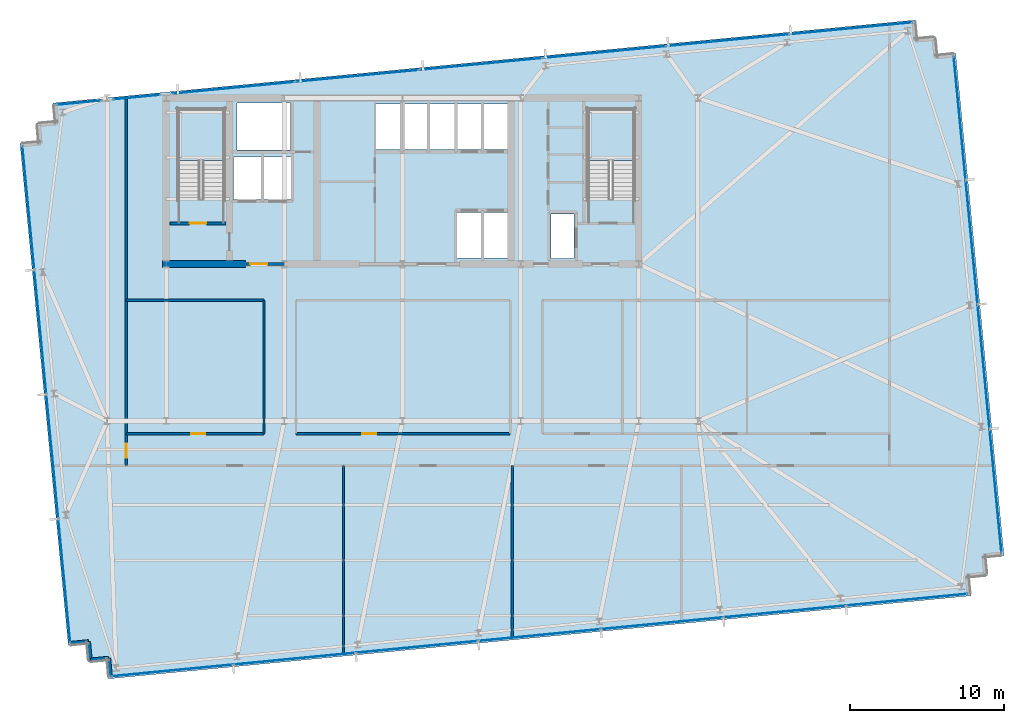
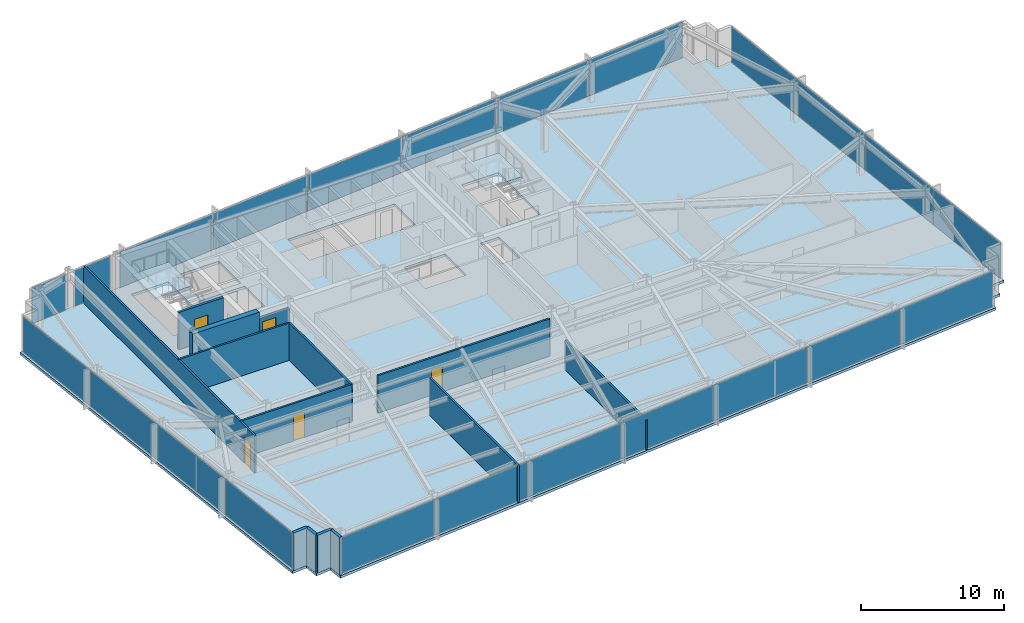
# One storey, part 24 of 32: 23 plates, 14 walls, 5 doors, 3 slabs, 5 openings, 8 elements without a shape of their own.
"""IFC4 building model written with IfcOpenShell, lengths in metres."""

from ifc_helpers import new_model, si_unit, direction, frame, frame_2d, origin, origin_2d, place, context, subcontext, project, spatial, polyline, rectangle, outline, extrude, material, layer, layer_set, type_object, element, fill, aggregate, save


model = new_model("IFC4")

# Units and contexts
model_context = context("Model", 3, precision=1e-05, world=origin(), true_north=direction((0.0, 1.0)))
body_context = subcontext(model_context, "Body", "Model", "MODEL_VIEW")
ifc_project = project(units=[si_unit("LENGTHUNIT", "METRE"), si_unit("AREAUNIT", "SQUARE_METRE"), si_unit("VOLUMEUNIT", "CUBIC_METRE"), si_unit("PLANEANGLEUNIT", "RADIAN"), si_unit("MASSUNIT", "GRAM", prefix="KILO")], contexts=[model_context])

# Site, building, storey
site_placement = place(None, origin())
site = spatial("IfcSite", under=ifc_project, at=site_placement, CompositionType="ELEMENT")
building_placement = place(site_placement, origin())
building = spatial("IfcBuilding", under=site, at=building_placement, Name="Yelkora Congress Tower", CompositionType="ELEMENT")
storey_placement = place(building_placement, frame((0.0, 0.0, 103.300048828125)))
storey = spatial("IfcBuildingStorey", under=building, at=storey_placement, Name="L27", CompositionType="ELEMENT", Elevation=103.300048828125)

# Curtain wall, plates
ifc_material_1 = material(Name="Anodised aluminium and insulated glass", Category="aluminium")
curtain_wall_type = type_object("IfcCurtainWallType", Name="CW-SYS-B2", PredefinedType="NOTDEFINED", material=ifc_material_1)
curtain_wall_1_placement = place(storey_placement, origin())
curtain_wall_1 = element("IfcCurtainWall", 1, at=curtain_wall_1_placement, inside=storey, type_object=curtain_wall_type, Name="L27 Unitised Curtain Wall 5", PredefinedType="NOTDEFINED")
ifc_material_2 = material(Name="Solar-control low-E glass unit B2", Category="glass")
ifc_layer_1 = layer(ifc_material_2, 0.0380859375)
ifc_layer_set_1 = layer_set([ifc_layer_1], Name="Solar-control low-E glass unit B2")
plate_type = type_object("IfcPlateType", Name="PLT-PN-B2", PredefinedType="CURTAIN_PANEL", material=ifc_layer_set_1)
plate_1_placement = place(storey_placement, frame((16.41650390625, 14.820068359375, 0.06494140625), z_axis=(0.0, 0.0, 1.0), x_axis=(-0.095842541913, 0.995396507508, 0.0)))
plate_1 = element("IfcPlate", 2, at=plate_1_placement, type_object=plate_type, Name="CW-B2 panel 1.1", PredefinedType="CURTAIN_PANEL", context=body_context, shape_type="SweptSolid", body=[
    extrude(rectangle(XDim=8.02490234375, YDim=0.0380859375, at=origin_2d()), origin(), (0.0, 0.0, 1.0), 3.050048828125),
])
plate_2_placement = place(storey_placement, frame((15.638916015625, 22.895263671875, 0.06494140625), z_axis=(0.0, 0.0, 1.0), x_axis=(-0.095842541913, 0.995396507508, 0.0)))
plate_2 = element("IfcPlate", 3, at=plate_2_placement, type_object=plate_type, Name="CW-B2 panel 2.1", PredefinedType="CURTAIN_PANEL", context=body_context, shape_type="SweptSolid", body=[
    extrude(rectangle(XDim=8.06005859375, YDim=0.0380859375, at=origin_2d()), origin(), (0.0, 0.0, 1.0), 3.050048828125),
])
plate_3_placement = place(storey_placement, frame((14.859619140625, 30.98779296875, 0.06494140625), z_axis=(0.0, 0.0, 1.0), x_axis=(-0.095842541913, 0.995396507508, 0.0)))
plate_3 = element("IfcPlate", 4, at=plate_3_placement, type_object=plate_type, Name="CW-B2 panel 3.1", PredefinedType="CURTAIN_PANEL", context=body_context, shape_type="SweptSolid", body=[
    extrude(rectangle(XDim=8.06005859375, YDim=0.0380859375, at=origin_2d()), origin(), (0.0, 0.0, 1.0), 3.050048828125),
])
plate_4_placement = place(storey_placement, frame((14.082275390625, 39.06298828125, 0.06494140625), z_axis=(0.0, 0.0, 1.0), x_axis=(-0.095842541913, 0.995396507508, 0.0)))
plate_4 = element("IfcPlate", 5, at=plate_4_placement, type_object=plate_type, Name="CW-B2 panel 4.1", PredefinedType="CURTAIN_PANEL", context=body_context, shape_type="SweptSolid", body=[
    extrude(rectangle(XDim=8.02490234375, YDim=0.0380859375, at=origin_2d()), origin(), (0.0, 0.0, 1.0), 3.050048828125),
])
aggregate(curtain_wall_1, [plate_1, plate_2, plate_3, plate_4])

# Curtain wall, plate
curtain_wall_2_placement = place(storey_placement, origin())
curtain_wall_2 = element("IfcCurtainWall", 6, at=curtain_wall_2_placement, inside=storey, type_object=curtain_wall_type, Name="L27 Unitised Curtain Wall 10 (1)", PredefinedType="NOTDEFINED")
plate_5_placement = place(storey_placement, frame((17.35888671875, 45.89111328125, 0.06494140625), z_axis=(0.0, 0.0, 1.0), x_axis=(0.99539681521, 0.095839346142, 0.0)))
plate_5 = element("IfcPlate", 7, at=plate_5_placement, type_object=plate_type, Name="CW-B2 panel 1.1", PredefinedType="CURTAIN_PANEL", context=body_context, shape_type="SweptSolid", body=[
    extrude(rectangle(XDim=2.89208984375, YDim=0.0380859375, at=origin_2d()), origin(), (0.0, 0.0, 1.0), 3.050048828125),
])
aggregate(curtain_wall_2, [plate_5])

curtain_wall_3_placement = place(storey_placement, origin())
curtain_wall_3 = element("IfcCurtainWall", 8, at=curtain_wall_3_placement, inside=storey, type_object=curtain_wall_type, Name="L27 Unitised Curtain Wall 10 (2)", PredefinedType="NOTDEFINED")
plate_6_placement = place(storey_placement, frame((21.1201171875, 46.253173828125, 0.06494140625), z_axis=(0.0, 0.0, 1.0), x_axis=(0.99539661748, 0.095841399764, 0.0)))
plate_6 = element("IfcPlate", 9, at=plate_6_placement, type_object=plate_type, Name="CW-B2 panel 1.1", PredefinedType="CURTAIN_PANEL", context=body_context, shape_type="SweptSolid", body=[
    extrude(rectangle(XDim=3.05078125, YDim=0.0380859375, at=origin_2d()), origin(), (0.0, 0.0, 1.0), 3.050048828125),
])
aggregate(curtain_wall_3, [plate_6])

# Curtain wall, plates
curtain_wall_4_placement = place(storey_placement, origin())
curtain_wall_4 = element("IfcCurtainWall", 10, at=curtain_wall_4_placement, inside=storey, type_object=curtain_wall_type, Name="L27 Unitised Curtain Wall 10 (3)", PredefinedType="NOTDEFINED")
plate_7_placement = place(storey_placement, frame((27.409423828125, 46.858642578125, 0.06494140625), z_axis=(0.0, 0.0, 1.0), x_axis=(0.995396344153, 0.095844238468, 0.0)))
plate_7 = element("IfcPlate", 11, at=plate_7_placement, type_object=plate_type, Name="CW-B2 panel 1.1", PredefinedType="CURTAIN_PANEL", context=body_context, shape_type="SweptSolid", body=[
    extrude(rectangle(XDim=7.97216796875, YDim=0.0380859375, at=origin_2d()), origin(), (0.0, 0.0, 1.0), 3.050048828125),
])
plate_8_placement = place(storey_placement, frame((35.431884765625, 47.631103515625, 0.06494140625), z_axis=(0.0, 0.0, 1.0), x_axis=(0.995396344153, 0.095844238468, 0.0)))
plate_8 = element("IfcPlate", 12, at=plate_8_placement, type_object=plate_type, Name="CW-B2 panel 2.1", PredefinedType="CURTAIN_PANEL", context=body_context, shape_type="SweptSolid", body=[
    extrude(rectangle(XDim=8.007080078125, YDim=0.0380859375, at=origin_2d()), origin(), (0.0, 0.0, 1.0), 3.050048828125),
])
plate_9_placement = place(storey_placement, frame((43.471923828125, 48.4052734375, 0.06494140625), z_axis=(0.0, 0.0, 1.0), x_axis=(0.995396344153, 0.095844238468, 0.0)))
plate_9 = element("IfcPlate", 13, at=plate_9_placement, type_object=plate_type, Name="CW-B2 panel 3.1", PredefinedType="CURTAIN_PANEL", context=body_context, shape_type="SweptSolid", body=[
    extrude(rectangle(XDim=8.007080078125, YDim=0.0380859375, at=origin_2d()), origin(), (0.0, 0.0, 1.0), 3.050048828125),
])
plate_10_placement = place(storey_placement, frame((51.511962890625, 49.179443359375, 0.06494140625), z_axis=(0.0, 0.0, 1.0), x_axis=(0.995396344153, 0.095844238468, 0.0)))
plate_10 = element("IfcPlate", 14, at=plate_10_placement, type_object=plate_type, Name="CW-B2 panel 4.1", PredefinedType="CURTAIN_PANEL", context=body_context, shape_type="SweptSolid", body=[
    extrude(rectangle(XDim=8.007080078125, YDim=0.0380859375, at=origin_2d()), origin(), (0.0, 0.0, 1.0), 3.050048828125),
])
plate_11_placement = place(storey_placement, frame((59.552001953125, 49.95361328125, 0.06494140625), z_axis=(0.0, 0.0, 1.0), x_axis=(0.995396344153, 0.095844238468, 0.0)))
plate_11 = element("IfcPlate", 15, at=plate_11_placement, type_object=plate_type, Name="CW-B2 panel 5.1", PredefinedType="CURTAIN_PANEL", context=body_context, shape_type="SweptSolid", body=[
    extrude(rectangle(XDim=8.007080078125, YDim=0.0380859375, at=origin_2d()), origin(), (0.0, 0.0, 1.0), 3.050048828125),
])
plate_12_placement = place(storey_placement, frame((67.574462890625, 50.72607421875, 0.06494140625), z_axis=(0.0, 0.0, 1.0), x_axis=(0.995396344153, 0.095844238468, 0.0)))
plate_12 = element("IfcPlate", 16, at=plate_12_placement, type_object=plate_type, Name="CW-B2 panel 6.1", PredefinedType="CURTAIN_PANEL", context=body_context, shape_type="SweptSolid", body=[
    extrude(rectangle(XDim=7.97216796875, YDim=0.0380859375, at=origin_2d()), origin(), (0.0, 0.0, 1.0), 3.050048828125),
])
aggregate(curtain_wall_4, [plate_7, plate_8, plate_9, plate_10, plate_11, plate_12])

curtain_wall_5_placement = place(storey_placement, origin())
curtain_wall_5 = element("IfcCurtainWall", 17, at=curtain_wall_5_placement, inside=storey, type_object=curtain_wall_type, Name="L27 Unitised Curtain Wall 15", PredefinedType="NOTDEFINED")
plate_13_placement = place(storey_placement, frame((74.6220703125, 44.892333984375, 0.06494140625), z_axis=(0.0, 0.0, 1.0), x_axis=(0.095842541913, -0.995396507508, 0.0)))
plate_13 = element("IfcPlate", 18, at=plate_13_placement, type_object=plate_type, Name="CW-B2 panel 1.1", PredefinedType="CURTAIN_PANEL", context=body_context, shape_type="SweptSolid", body=[
    extrude(rectangle(XDim=8.02490234375, YDim=0.0380859375, at=origin_2d()), origin(), (0.0, 0.0, 1.0), 3.050048828125),
])
plate_14_placement = place(storey_placement, frame((75.399658203125, 36.817138671875, 0.06494140625), z_axis=(0.0, 0.0, 1.0), x_axis=(0.095842541913, -0.995396507508, 0.0)))
plate_14 = element("IfcPlate", 19, at=plate_14_placement, type_object=plate_type, Name="CW-B2 panel 2.1", PredefinedType="CURTAIN_PANEL", context=body_context, shape_type="SweptSolid", body=[
    extrude(rectangle(XDim=8.06005859375, YDim=0.0380859375, at=origin_2d()), origin(), (0.0, 0.0, 1.0), 3.050048828125),
])
plate_15_placement = place(storey_placement, frame((76.178955078125, 28.724609375, 0.06494140625), z_axis=(0.0, 0.0, 1.0), x_axis=(0.095842541913, -0.995396507508, 0.0)))
plate_15 = element("IfcPlate", 20, at=plate_15_placement, type_object=plate_type, Name="CW-B2 panel 3.1", PredefinedType="CURTAIN_PANEL", context=body_context, shape_type="SweptSolid", body=[
    extrude(rectangle(XDim=8.06005859375, YDim=0.0380859375, at=origin_2d()), origin(), (0.0, 0.0, 1.0), 3.050048828125),
])
plate_16_placement = place(storey_placement, frame((76.95654296875, 20.6494140625, 0.06494140625), z_axis=(0.0, 0.0, 1.0), x_axis=(0.095842541913, -0.995396507508, 0.0)))
plate_16 = element("IfcPlate", 21, at=plate_16_placement, type_object=plate_type, Name="CW-B2 panel 4.1", PredefinedType="CURTAIN_PANEL", context=body_context, shape_type="SweptSolid", body=[
    extrude(rectangle(XDim=8.02490234375, YDim=0.0380859375, at=origin_2d()), origin(), (0.0, 0.0, 1.0), 3.050048828125),
])
aggregate(curtain_wall_5, [plate_13, plate_14, plate_15, plate_16])

curtain_wall_6_placement = place(storey_placement, origin())
curtain_wall_6 = element("IfcCurtainWall", 22, at=curtain_wall_6_placement, inside=storey, type_object=curtain_wall_type, Name="L27 Unitised Curtain Wall 20", PredefinedType="NOTDEFINED")
plate_17_placement = place(storey_placement, frame((71.1884765625, 13.58154296875, 0.06494140625), z_axis=(0.0, 0.0, 1.0), x_axis=(-0.995396333816, -0.095844345816, 0.0)))
plate_17 = element("IfcPlate", 23, at=plate_17_placement, type_object=plate_type, Name="CW-B2 panel 1.1", PredefinedType="CURTAIN_PANEL", context=body_context, shape_type="SweptSolid", body=[
    extrude(rectangle(XDim=7.89794921875, YDim=0.0380859375, at=origin_2d()), origin(), (0.0, 0.0, 1.0), 3.050048828125),
])
plate_18_placement = place(storey_placement, frame((63.23974609375, 12.816162109375, 0.06494140625), z_axis=(0.0, 0.0, 1.0), x_axis=(-0.995396333816, -0.095844345816, 0.0)))
plate_18 = element("IfcPlate", 24, at=plate_18_placement, type_object=plate_type, Name="CW-B2 panel 2.1", PredefinedType="CURTAIN_PANEL", context=body_context, shape_type="SweptSolid", body=[
    extrude(rectangle(XDim=7.932861328125, YDim=0.0380859375, at=origin_2d()), origin(), (0.0, 0.0, 1.0), 3.050048828125),
])
plate_19_placement = place(storey_placement, frame((55.273681640625, 12.049072265625, 0.06494140625), z_axis=(0.0, 0.0, 1.0), x_axis=(-0.995396333816, -0.095844345816, 0.0)))
plate_19 = element("IfcPlate", 25, at=plate_19_placement, type_object=plate_type, Name="CW-B2 panel 3.1", PredefinedType="CURTAIN_PANEL", context=body_context, shape_type="SweptSolid", body=[
    extrude(rectangle(XDim=7.932861328125, YDim=0.0380859375, at=origin_2d()), origin(), (0.0, 0.0, 1.0), 3.050048828125),
])
plate_20_placement = place(storey_placement, frame((47.307861328125, 11.281982421875, 0.06494140625), z_axis=(0.0, 0.0, 1.0), x_axis=(-0.995396333816, -0.095844345816, 0.0)))
plate_20 = element("IfcPlate", 26, at=plate_20_placement, type_object=plate_type, Name="CW-B2 panel 4.1", PredefinedType="CURTAIN_PANEL", context=body_context, shape_type="SweptSolid", body=[
    extrude(rectangle(XDim=7.932861328125, YDim=0.0380859375, at=origin_2d()), origin(), (0.0, 0.0, 1.0), 3.050048828125),
])
plate_21_placement = place(storey_placement, frame((39.341796875, 10.51513671875, 0.06494140625), z_axis=(0.0, 0.0, 1.0), x_axis=(-0.995396333816, -0.095844345816, 0.0)))
plate_21 = element("IfcPlate", 27, at=plate_21_placement, type_object=plate_type, Name="CW-B2 panel 5.1", PredefinedType="CURTAIN_PANEL", context=body_context, shape_type="SweptSolid", body=[
    extrude(rectangle(XDim=7.932861328125, YDim=0.0380859375, at=origin_2d()), origin(), (0.0, 0.0, 1.0), 3.050048828125),
])
plate_22_placement = place(storey_placement, frame((31.375732421875, 9.748046875, 0.06494140625), z_axis=(0.0, 0.0, 1.0), x_axis=(-0.995396333816, -0.095844345816, 0.0)))
plate_22 = element("IfcPlate", 28, at=plate_22_placement, type_object=plate_type, Name="CW-B2 panel 6.1", PredefinedType="CURTAIN_PANEL", context=body_context, shape_type="SweptSolid", body=[
    extrude(rectangle(XDim=7.932861328125, YDim=0.0380859375, at=origin_2d()), origin(), (0.0, 0.0, 1.0), 3.050048828125),
])
plate_23_placement = place(storey_placement, frame((23.42724609375, 8.982666015625, 0.06494140625), z_axis=(0.0, 0.0, 1.0), x_axis=(-0.995396333816, -0.095844345816, 0.0)))
plate_23 = element("IfcPlate", 29, at=plate_23_placement, type_object=plate_type, Name="CW-B2 panel 7.1", PredefinedType="CURTAIN_PANEL", context=body_context, shape_type="SweptSolid", body=[
    extrude(rectangle(XDim=7.89794921875, YDim=0.0380859375, at=origin_2d()), origin(), (0.0, 0.0, 1.0), 3.050048828125),
])
aggregate(curtain_wall_6, [plate_17, plate_18, plate_19, plate_20, plate_21, plate_22, plate_23])

# Stair, slab
ifc_material_3 = material(Name="Concrete C40/50", Category="concrete")
stair_type = type_object("IfcStairType", Name="STAIR-HT-1420-R20-170", PredefinedType="HALF_TURN_STAIR", material=ifc_material_3)
stair_1_placement = place(storey_placement, origin())
stair_1 = element("IfcStair", 30, at=stair_1_placement, inside=storey, type_object=stair_type, Name="West Core Protected Exit Stair ST-01 (L27)", PredefinedType="HALF_TURN_STAIR")
ifc_layer_2 = layer(ifc_material_3, 0.219970703125)
ifc_layer_set_2 = layer_set([ifc_layer_2], Name="Concrete C40/50")
slab_type_1 = type_object("IfcSlabType", Name="SLAB-LANDING-220", PredefinedType="LANDING", material=ifc_layer_set_2)
slab_1_placement = place(storey_placement, frame((0.0, 0.0, 1.47998046875)))
slab_1 = element("IfcSlab", 31, at=slab_1_placement, type_object=slab_type_1, Name="ST-01 L27 Half Landing 1", PredefinedType="LANDING", context=body_context, shape_type="SweptSolid", body=[
    extrude(outline(polyline([(26.820068359375, 42.1201171875), (26.820068359375, 45.469970703125), (23.820068359375, 45.469970703125), (23.820068359375, 42.1201171875), (26.820068359375, 42.1201171875)])), origin(), (0.0, 0.0, 1.0), 0.219970703125),
])
aggregate(stair_1, [slab_1])

stair_2_placement = place(storey_placement, origin())
stair_2 = element("IfcStair", 32, at=stair_2_placement, inside=storey, type_object=stair_type, Name="East Core Protected Exit Stair ST-02 (L27)", PredefinedType="HALF_TURN_STAIR")
slab_2_placement = place(storey_placement, frame((0.0, 0.0, 1.47998046875)))
slab_2 = element("IfcSlab", 33, at=slab_2_placement, type_object=slab_type_1, Name="ST-02 L27 Half Landing 1", PredefinedType="LANDING", context=body_context, shape_type="SweptSolid", body=[
    extrude(outline(polyline([(53.4599609375, 42.1201171875), (53.4599609375, 45.469970703125), (50.4599609375, 45.469970703125), (50.4599609375, 42.1201171875), (53.4599609375, 42.1201171875)])), origin(), (0.0, 0.0, 1.0), 0.219970703125),
])
aggregate(stair_2, [slab_2])

# Slab
ifc_layer_3 = layer(ifc_material_3, 0.219970703125)
ifc_layer_set_3 = layer_set([ifc_layer_3], Name="Concrete C40/50")
slab_type_2 = type_object("IfcSlabType", Name="SLAB-TWR-220", PredefinedType="FLOOR", material=ifc_layer_set_3)
slab_3_placement = place(storey_placement, frame((0.0, 0.0, -0.219970703125)))
element("IfcSlab", 34, at=slab_3_placement, inside=storey, type_object=slab_type_2, Name="L27 Structural Floor Slab", PredefinedType="FLOOR", context=body_context, shape_type="SweptSolid", body=[
    extrude(outline(polyline([(19.30078125, 8.444580078125), (75.341552734375, 13.8408203125), (75.2265625, 15.035400390625), (76.421142578125, 15.150390625), (76.30615234375, 16.3447265625), (77.50048828125, 16.459716796875), (74.356689453125, 49.10888671875), (73.162353515625, 48.99365234375), (73.04736328125, 50.188232421875), (71.852783203125, 50.0732421875), (71.73779296875, 51.267578125), (15.697021484375, 45.87158203125), (15.81201171875, 44.677001953125), (14.61767578125, 44.56201171875), (14.732666015625, 43.36767578125), (13.5380859375, 43.252685546875), (16.681884765625, 10.603515625), (17.876220703125, 10.718505859375), (17.9912109375, 9.524169921875), (19.185791015625, 9.63916015625), (19.30078125, 8.444580078125)]), holes=[polyline([(23.820068359375, 39.6298828125), (26.820068359375, 39.6298828125), (26.820068359375, 45.469970703125), (23.820068359375, 45.469970703125), (23.820068359375, 39.6298828125)]), polyline([(50.4599609375, 39.6298828125), (53.4599609375, 39.6298828125), (53.4599609375, 45.469970703125), (50.4599609375, 45.469970703125), (50.4599609375, 39.6298828125)]), polyline([(48.050048828125, 35.75), (49.550048828125, 35.75), (49.550048828125, 38.64990234375), (48.050048828125, 38.64990234375), (48.050048828125, 35.75)]), polyline([(36.64990234375, 42.85009765625), (45.25, 42.85009765625), (45.25, 45.800048828125), (36.64990234375, 45.800048828125), (36.64990234375, 42.85009765625)]), polyline([(41.949951171875, 35.800048828125), (45.25, 35.800048828125), (45.25, 38.75), (41.949951171875, 38.75), (41.949951171875, 35.800048828125)]), polyline([(27.419921875, 39.60009765625), (31.179931640625, 39.60009765625), (31.179931640625, 42.35009765625), (27.419921875, 42.35009765625), (27.419921875, 39.60009765625)]), polyline([(27.64990234375, 42.820068359375), (31.1201171875, 42.820068359375), (31.1201171875, 45.8798828125), (27.64990234375, 45.8798828125), (27.64990234375, 42.820068359375)])]), origin(), (0.0, 0.0, 1.0), 0.219970703125),
])

# Walls
ifc_material_4 = material(Name="Concrete C60/75", Category="concrete")
ifc_layer_4 = layer(ifc_material_4, 0.449951171875)
ifc_layer_set_4 = layer_set([ifc_layer_4], Name="Concrete C60/75")
wall_type_1 = type_object("IfcWallType", Name="WALL-CORE-INT-450", PredefinedType="SHEAR", material=ifc_layer_set_4)
wall_1_placement = place(storey_placement, frame((22.81494140625, 35.39990234375, 0.0), z_axis=(0.0, 0.0, 1.0), x_axis=(1.0, 0.0, 0.0)))
element("IfcWall", 35, at=wall_1_placement, inside=storey, type_object=wall_type_1, Name="L27 Rear Core South-West Shear Wall", PredefinedType="SHEAR", context=body_context, shape_type="SweptSolid", body=[
    extrude(rectangle(XDim=5.385009765625, YDim=0.449951171875, at=frame_2d((2.6923828125, 0.0))), origin(), (0.0, 0.0, 1.0), 3.179931640625),
])
ifc_layer_5 = layer(ifc_material_3, 0.239990234375)
ifc_layer_set_5 = layer_set([ifc_layer_5], Name="Concrete C40/50")
wall_type_2 = type_object("IfcWallType", Name="WALL-EXT-LIMESTONE-240", PredefinedType="SOLIDWALL", material=ifc_layer_set_5)
for number, where, z_axis, x_axis, name in (
    (36, (19.4267578125, 8.597412109375, 0.0), (0.0, 0.0, 1.0), (-0.095817067274, 0.995398960025, 0.0), "L27 Serrated Corner Limestone Pier 1"),
    (37, (19.311767578125, 9.7919921875, 0.0), (0.0, 0.0, 1.0), (-0.995398960025, -0.095817067274, 0.0), "L27 Serrated Corner Limestone Pier 2"),
):
    element("IfcWall", number, at=place(storey_placement, frame(where, z_axis=z_axis, x_axis=x_axis)), inside=storey, type_object=wall_type_2, Name=name, PredefinedType="SOLIDWALL", context=body_context, shape_type="SweptSolid", body=[
        extrude(rectangle(XDim=1.2001953125, YDim=0.239990234375, at=frame_2d((0.60009765625, 0.0))), origin(), (0.0, 0.0, 1.0), 3.179931640625),
    ])
wall_2_placement = place(storey_placement, frame((18.1171875, 9.677001953125, 0.0), z_axis=(0.0, 0.0, 1.0), x_axis=(-0.095836473879, 0.995397091755, 0.0)))
element("IfcWall", 38, at=wall_2_placement, inside=storey, type_object=wall_type_2, Name="L27 Serrated Corner Limestone Pier 3", PredefinedType="SOLIDWALL", context=body_context, shape_type="SweptSolid", body=[
    extrude(rectangle(XDim=1.199951171875, YDim=0.239990234375, at=frame_2d((0.60009765625, 0.0))), origin(), (0.0, 0.0, 1.0), 3.179931640625),
])
wall_3_placement = place(storey_placement, frame((18.002197265625, 10.871337890625, 0.0), z_axis=(0.0, 0.0, 1.0), x_axis=(-0.995398960025, -0.095817067274, 0.0)))
element("IfcWall", 39, at=wall_3_placement, inside=storey, type_object=wall_type_2, Name="L27 Serrated Corner Limestone Pier 4", PredefinedType="SOLIDWALL", context=body_context, shape_type="SweptSolid", body=[
    extrude(rectangle(XDim=1.2001953125, YDim=0.239990234375, at=frame_2d((0.60009765625, 0.0))), origin(), (0.0, 0.0, 1.0), 3.179931640625),
])
ifc_material_5 = material(Name="Acoustic metal-stud gypsum partition", Category="gypsum")
ifc_layer_6 = layer(ifc_material_5, 0.14990234375)
ifc_layer_set_6 = layer_set([ifc_layer_6], Name="Acoustic metal-stud gypsum partition")
wall_type_3 = type_object("IfcWallType", Name="WALL-INT-150-NR", PredefinedType="PARTITIONING", material=ifc_layer_set_6)
wall_4_placement = place(storey_placement, frame((34.56591796875, 9.994873046875, 0.0), z_axis=(0.0, 0.0, 1.0), x_axis=(0.0, 1.0, 0.0)))
element("IfcWall", 40, at=wall_4_placement, inside=storey, type_object=wall_type_3, Name="L27 Partition Wall 28", PredefinedType="PARTITIONING", context=body_context, shape_type="SweptSolid", body=[
    extrude(rectangle(XDim=12.3251953125, YDim=0.14990234375, at=frame_2d((6.16259765625, 0.0))), origin(), (0.0, 0.0, 1.0), 3.179931640625),
])
wall_5_placement = place(storey_placement, frame((45.5390625, 11.051513671875, 0.0), z_axis=(0.0, 0.0, 1.0), x_axis=(0.0, 1.0, 0.0)))
element("IfcWall", 41, at=wall_5_placement, inside=storey, type_object=wall_type_3, Name="L27 Partition Wall 29", PredefinedType="PARTITIONING", context=body_context, shape_type="SweptSolid", body=[
    extrude(rectangle(XDim=11.2685546875, YDim=0.14990234375, at=frame_2d((5.63427734375, 0.0))), origin(), (0.0, 0.0, 1.0), 2.52490234375),
])

# Wall, opening, door
wall_6_placement = place(storey_placement, frame((20.43603515625, 22.300048828125, 0.0), z_axis=(0.0, 0.0, 1.0), x_axis=(0.0, 1.0, 0.0)))
wall_6 = element("IfcWall", 42, at=wall_6_placement, inside=storey, type_object=wall_type_3, Name="L27 Partition Wall 32", PredefinedType="PARTITIONING", context=body_context, shape_type="SweptSolid", body=[
    extrude(rectangle(XDim=23.947509765625, YDim=0.14990234375, at=frame_2d((11.9736328125, 0.0))), origin(), (0.0, 0.0, 1.0), 3.179931640625),
])
opening_1_placement = place(wall_6_placement, frame((0.528076171875, 0.0, 0.0)))
opening_1 = element("IfcOpeningElement", 43, at=opening_1_placement, cuts=wall_6, Name="Opening DR-090N", PredefinedType="OPENING", context=body_context, shape_type="SweptSolid", body=[
    extrude(rectangle(XDim=0.89990234375, YDim=2.14990234375, at=frame_2d((0.449951171875, 1.074951171875))), frame((0.0, 0.0849609375, 0.0), z_axis=(0.0, -1.0, 0.0), x_axis=(1.0, 0.0, 0.0)), (0.0, 0.0, 1.0), 0.169921875),
])
ifc_material_6 = material(Name="Moisture-resistant laminate door leaf", Category="wood")
door_type_1 = type_object("IfcDoorType", Name="DOOR-INT-900", OperationType="NOTDEFINED", PredefinedType="DOOR", material=ifc_material_6)
door_1_placement = place(opening_1_placement, origin())
door_1 = element("IfcDoor", 44, at=door_1_placement, inside=storey, type_object=door_type_1, Name="L27 W Wing Door", OperationType="SINGLE_SWING_RIGHT", OverallHeight=2.14990234375, OverallWidth=0.89990234375, PredefinedType="DOOR", context=body_context, shape_type="SweptSolid", body=[
    extrude(rectangle(XDim=0.89990234375, YDim=2.14990234375, at=frame_2d((0.449951171875, 1.074951171875))), frame((0.0, 0.02490234375, 0.0), z_axis=(0.0, -1.0, 0.0), x_axis=(1.0, 0.0, 0.0)), (0.0, 0.0, 1.0), 0.050048828125),
])
fill(opening_1, door_1)

# Walls
wall_7_placement = place(storey_placement, frame((29.39990234375, 24.3798828125, 0.0), z_axis=(0.0, 0.0, 1.0), x_axis=(0.0, 1.0, 0.0)))
element("IfcWall", 45, at=wall_7_placement, inside=storey, type_object=wall_type_3, Name="L27 Partition Wall 34", PredefinedType="PARTITIONING", context=body_context, shape_type="SweptSolid", body=[
    extrude(rectangle(XDim=8.670166015625, YDim=0.14990234375, at=frame_2d((4.3349609375, 0.0))), origin(), (0.0, 0.0, 1.0), 3.179931640625),
])
wall_8_placement = place(storey_placement, frame((20.43603515625, 33.050048828125, 0.0), z_axis=(0.0, 0.0, 1.0), x_axis=(1.0, 0.0, 0.0)))
element("IfcWall", 46, at=wall_8_placement, inside=storey, type_object=wall_type_3, Name="L27 Partition Wall 38", PredefinedType="PARTITIONING", context=body_context, shape_type="SweptSolid", body=[
    extrude(rectangle(XDim=8.9638671875, YDim=0.14990234375, at=frame_2d((4.48193359375, 0.0))), origin(), (0.0, 0.0, 1.0), 3.179931640625),
])

# Wall, opening, door
wall_9_placement = place(storey_placement, frame((20.4560546875, 24.3798828125, 0.0), z_axis=(0.0, 0.0, 1.0), x_axis=(1.0, 0.0, 0.0)))
wall_9 = element("IfcWall", 47, at=wall_9_placement, inside=storey, type_object=wall_type_3, Name="L27 Partition Wall 41", PredefinedType="PARTITIONING", context=body_context, shape_type="SweptSolid", body=[
    extrude(rectangle(XDim=8.933837890625, YDim=0.14990234375, at=frame_2d((4.466796875, 0.0))), origin(), (0.0, 0.0, 1.0), 3.179931640625),
])
opening_2_placement = place(wall_9_placement, frame((4.227294921875, 0.0, 0.0)))
opening_2 = element("IfcOpeningElement", 48, at=opening_2_placement, cuts=wall_9, Name="Opening DR-090N", PredefinedType="OPENING", context=body_context, shape_type="SweptSolid", body=[
    extrude(rectangle(XDim=0.89990234375, YDim=2.14990234375, at=frame_2d((0.449951171875, 1.074951171875))), frame((0.0, 0.0849609375, 0.0), z_axis=(0.0, -1.0, 0.0), x_axis=(1.0, 0.0, 0.0)), (0.0, 0.0, 1.0), 0.169921875),
])
door_2_placement = place(opening_2_placement, origin())
door_2 = element("IfcDoor", 49, at=door_2_placement, inside=storey, type_object=door_type_1, Name="L27 Wellness Consult Room Door", OperationType="SINGLE_SWING_RIGHT", OverallHeight=2.14990234375, OverallWidth=0.89990234375, PredefinedType="DOOR", context=body_context, shape_type="SweptSolid", body=[
    extrude(rectangle(XDim=0.89990234375, YDim=2.14990234375, at=frame_2d((0.449951171875, 1.074951171875))), frame((0.0, 0.02490234375, 0.0), z_axis=(0.0, -1.0, 0.0), x_axis=(1.0, 0.0, 0.0)), (0.0, 0.0, 1.0), 0.050048828125),
])
fill(opening_2, door_2)

wall_10_placement = place(storey_placement, frame((31.489990234375, 24.3798828125, 0.0), z_axis=(0.0, 0.0, 1.0), x_axis=(1.0, 0.0, 0.0)))
wall_10 = element("IfcWall", 50, at=wall_10_placement, inside=storey, type_object=wall_type_3, Name="L27 Partition Wall 42", PredefinedType="PARTITIONING", context=body_context, shape_type="SweptSolid", body=[
    extrude(rectangle(XDim=13.89990234375, YDim=0.14990234375, at=frame_2d((6.949951171875, 0.0))), origin(), (0.0, 0.0, 1.0), 3.179931640625),
])
opening_3_placement = place(wall_10_placement, frame((4.306396484375, 0.0, 0.0)))
opening_3 = element("IfcOpeningElement", 51, at=opening_3_placement, cuts=wall_10, Name="Opening DR-090N", PredefinedType="OPENING", context=body_context, shape_type="SweptSolid", body=[
    extrude(rectangle(XDim=0.89990234375, YDim=2.14990234375, at=frame_2d((0.449951171875, 1.074951171875))), frame((0.0, 0.0849609375, 0.0), z_axis=(0.0, -1.0, 0.0), x_axis=(1.0, 0.0, 0.0)), (0.0, 0.0, 1.0), 0.169921875),
])
door_3_placement = place(opening_3_placement, origin())
door_3 = element("IfcDoor", 52, at=door_3_placement, inside=storey, type_object=door_type_1, Name="L27 Diplomatic Day Lounge Door", OperationType="SINGLE_SWING_LEFT", OverallHeight=2.14990234375, OverallWidth=0.89990234375, PredefinedType="DOOR", context=body_context, shape_type="SweptSolid", body=[
    extrude(rectangle(XDim=0.89990234375, YDim=2.14990234375, at=frame_2d((0.449951171875, 1.074951171875))), frame((0.0, 0.02490234375, 0.0), z_axis=(0.0, -1.0, 0.0), x_axis=(1.0, 0.0, 0.0)), (0.0, 0.0, 1.0), 0.050048828125),
])
fill(opening_3, door_3)

ifc_material_7 = material(Name="Autoclaved aerated concrete blockwork", Category="masonry")
ifc_layer_7 = layer(ifc_material_7, 0.199951171875)
ifc_layer_set_7 = layer_set([ifc_layer_7], Name="Autoclaved aerated concrete blockwork")
wall_type_4 = type_object("IfcWallType", Name="WALL-INT-200-R120", PredefinedType="PARTITIONING", material=ifc_layer_set_7)
wall_11_placement = place(storey_placement, frame((23.300048828125, 38.050048828125, 0.0), z_axis=(0.0, 0.0, 1.0), x_axis=(1.0, 0.0, 0.0)))
wall_11 = element("IfcWall", 53, at=wall_11_placement, inside=storey, type_object=wall_type_4, Name="L27 Stair ST-01 Enclosure Wall", PredefinedType="PARTITIONING", context=body_context, shape_type="SweptSolid", body=[
    extrude(rectangle(XDim=3.619873046875, YDim=0.199951171875, at=frame_2d((1.81005859375, 0.0))), origin(), (0.0, 0.0, 1.0), 3.179931640625),
])
opening_4_placement = place(wall_11_placement, frame((1.260009765625, 0.0, 0.0)))
opening_4 = element("IfcOpeningElement", 54, at=opening_4_placement, cuts=wall_11, Name="Opening DR-110F9", PredefinedType="OPENING", context=body_context, shape_type="SweptSolid", body=[
    extrude(rectangle(XDim=1.10009765625, YDim=2.14990234375, at=frame_2d((0.550048828125, 1.074951171875))), frame((0.0, 0.10986328125, 0.0), z_axis=(0.0, -1.0, 0.0), x_axis=(1.0, 0.0, 0.0)), (0.0, 0.0, 1.0), 0.219970703125),
])
ifc_material_8 = material(Name="Galvanised steel fire door leaf", Category="steel")
door_type_2 = type_object("IfcDoorType", Name="DOOR-FD90-1100", OperationType="NOTDEFINED", PredefinedType="DOOR", material=ifc_material_8)
door_4_placement = place(opening_4_placement, origin())
door_4 = element("IfcDoor", 55, at=door_4_placement, inside=storey, type_object=door_type_2, Name="L27 Stair ST-01 Entry Door", OperationType="SINGLE_SWING_LEFT", OverallHeight=2.14990234375, OverallWidth=1.10009765625, PredefinedType="DOOR", context=body_context, shape_type="SweptSolid", body=[
    extrude(rectangle(XDim=1.10009765625, YDim=2.14990234375, at=frame_2d((0.550048828125, 1.074951171875))), frame((0.0, 0.02490234375, 0.0), z_axis=(0.0, -1.0, 0.0), x_axis=(1.0, 0.0, 0.0)), (0.0, 0.0, 1.0), 0.050048828125),
])
fill(opening_4, door_4)

wall_12_placement = place(storey_placement, frame((28.219970703125, 35.39990234375, 0.0), z_axis=(0.0, 0.0, 1.0), x_axis=(1.0, 0.0, 0.0)))
wall_12 = element("IfcWall", 56, at=wall_12_placement, inside=storey, type_object=wall_type_4, Name="L27 Firefighting Lobby South Wall", PredefinedType="PARTITIONING", context=body_context, shape_type="SweptSolid", body=[
    extrude(rectangle(XDim=2.5, YDim=0.199951171875, at=frame_2d((1.25, 0.0))), origin(), (0.0, 0.0, 1.0), 2.52490234375),
])
opening_5_placement = place(wall_12_placement, frame((0.300048828125, 0.0, 0.0)))
opening_5 = element("IfcOpeningElement", 57, at=opening_5_placement, cuts=wall_12, Name="Opening DR-110F9", PredefinedType="OPENING", context=body_context, shape_type="SweptSolid", body=[
    extrude(rectangle(XDim=1.10009765625, YDim=2.14990234375, at=frame_2d((0.550048828125, 1.074951171875))), frame((0.0, 0.10986328125, 0.0), z_axis=(0.0, -1.0, 0.0), x_axis=(1.0, 0.0, 0.0)), (0.0, 0.0, 1.0), 0.219970703125),
])
door_5_placement = place(opening_5_placement, origin())
door_5 = element("IfcDoor", 58, at=door_5_placement, inside=storey, type_object=door_type_2, Name="L27 Firefighting Lobby Corridor Door", OperationType="SINGLE_SWING_RIGHT", OverallHeight=2.14990234375, OverallWidth=1.10009765625, PredefinedType="DOOR", context=body_context, shape_type="SweptSolid", body=[
    extrude(rectangle(XDim=1.10009765625, YDim=2.14990234375, at=frame_2d((0.550048828125, 1.074951171875))), frame((0.0, 0.02490234375, 0.0), z_axis=(0.0, -1.0, 0.0), x_axis=(1.0, 0.0, 0.0)), (0.0, 0.0, 1.0), 0.050048828125),
])
fill(opening_5, door_5)

save(model, "model.ifc")
